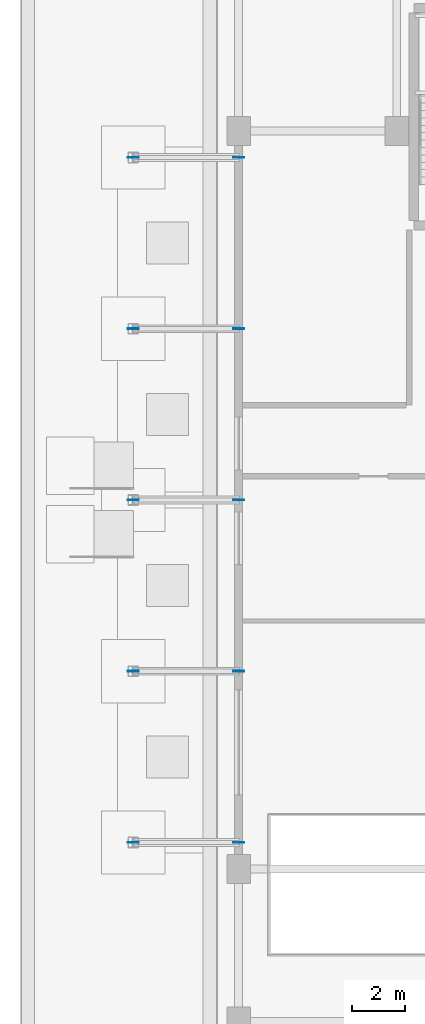
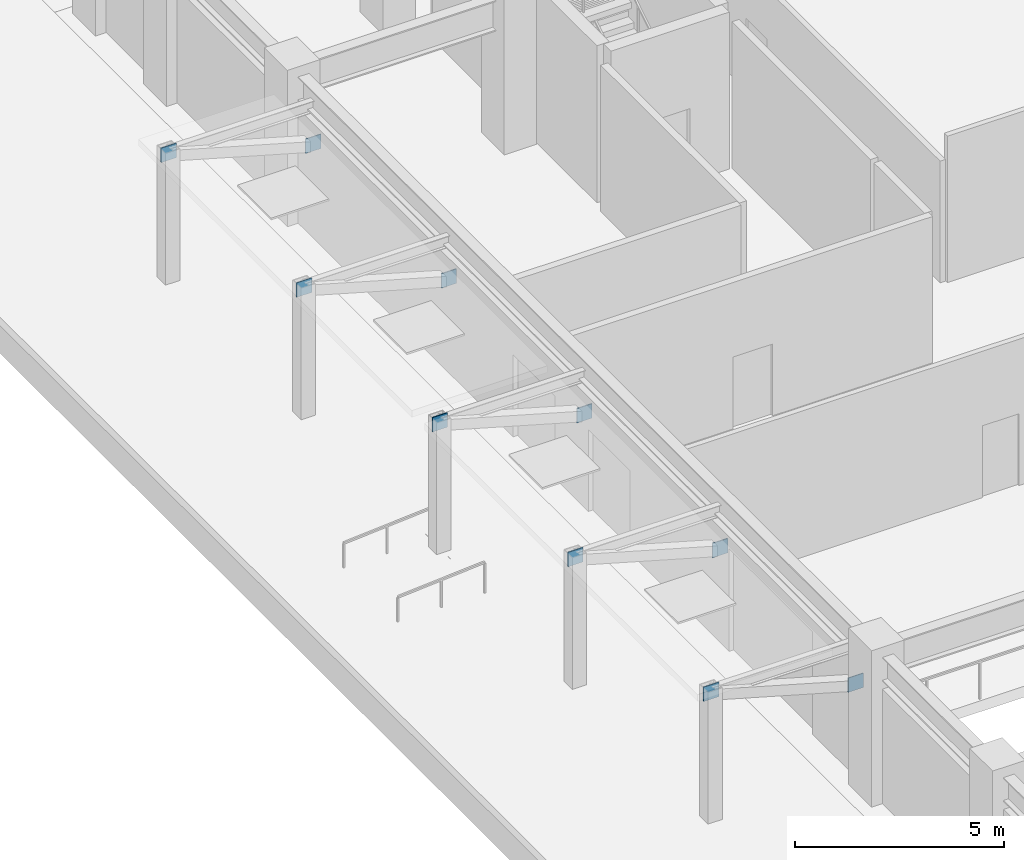
# One storey, part 14 of 23: 10 plates.
"""IFC4 building model written with IfcOpenShell, lengths in metres."""

from ifc_helpers import new_model, si_unit, direction, frame, origin, origin_2d, place, context, subcontext, project, spatial, rectangle, extrude, material, layer, layer_set, type_object, element, save


model = new_model("IFC4")

# Units and contexts
model_context = context("Model", 3, precision=1e-05, world=origin(), true_north=direction((0.0, 1.0)))
body_context = subcontext(model_context, "Body", "Model", "MODEL_VIEW")
ifc_project = project(units=[si_unit("LENGTHUNIT", "METRE"), si_unit("AREAUNIT", "SQUARE_METRE"), si_unit("VOLUMEUNIT", "CUBIC_METRE"), si_unit("PLANEANGLEUNIT", "RADIAN"), si_unit("MASSUNIT", "GRAM", prefix="KILO")], contexts=[model_context])

# Site, building, storey
site_placement = place(None, origin())
site = spatial("IfcSite", under=ifc_project, at=site_placement, CompositionType="ELEMENT")
building_placement = place(site_placement, origin())
building = spatial("IfcBuilding", under=site, at=building_placement, Name="Varnakorn Sky Granary", CompositionType="ELEMENT")
storey_placement = place(building_placement, origin())
storey = spatial("IfcBuildingStorey", under=building, at=storey_placement, Name="L00", CompositionType="ELEMENT", Elevation=0.0)

# Plates
ifc_material = material(Name="Steel S460M", Category="steel")
ifc_layer = layer(ifc_material, 0.028076171875, Name="Steel S460M")
ifc_layer_set = layer_set([ifc_layer], Name="Steel S460M")
plate_type = type_object("IfcPlateType", Name="PL-NODE-KN10", PredefinedType="SHEET", material=ifc_layer_set)
for number, where, z_axis, x_axis, name in (
    (1, (-33.199951171875, -13.0, 2.340087890625), (0.0, 0.0, 1.0), (1.0, 0.0, 0.0), "Canopy Strut Inner Gusset Plate KN10-1A"),
    (2, (-37.199951171875, -13.0, 3.47509765625), (0.0, 0.0, 1.0), (1.0, 0.0, 0.0), "Canopy Strut Outer Gusset Plate KN10-1B"),
    (3, (-33.199951171875, -6.5, 2.340087890625), (0.0, 0.0, 1.0), (1.0, 0.0, 0.0), "Canopy Strut Inner Gusset Plate KN10-2A"),
    (4, (-37.199951171875, -6.5, 3.47509765625), (0.0, 0.0, 1.0), (1.0, 0.0, 0.0), "Canopy Strut Outer Gusset Plate KN10-2B"),
    (5, (-33.199951171875, 0.0, 2.340087890625), (0.0, 0.0, 1.0), (1.0, 0.0, 0.0), "Canopy Strut Inner Gusset Plate KN10-3A"),
    (6, (-37.199951171875, 0.0, 3.47509765625), (0.0, 0.0, 1.0), (1.0, 0.0, 0.0), "Canopy Strut Outer Gusset Plate KN10-3B"),
    (7, (-33.199951171875, 6.5, 2.340087890625), (0.0, 0.0, 1.0), (1.0, 0.0, 0.0), "Canopy Strut Inner Gusset Plate KN10-4A"),
    (8, (-37.199951171875, 6.5, 3.47509765625), (0.0, 0.0, 1.0), (1.0, 0.0, 0.0), "Canopy Strut Outer Gusset Plate KN10-4B"),
    (9, (-33.199951171875, 13.0, 2.340087890625), (0.0, 0.0, 1.0), (1.0, 0.0, 0.0), "Canopy Strut Inner Gusset Plate KN10-5A"),
    (10, (-37.199951171875, 13.0, 3.47509765625), (0.0, 0.0, 1.0), (1.0, 0.0, 0.0), "Canopy Strut Outer Gusset Plate KN10-5B"),
):
    element("IfcPlate", number, at=place(storey_placement, frame(where, z_axis=z_axis, x_axis=x_axis)), inside=storey, type_object=plate_type, Name=name, PredefinedType="SHEET", context=body_context, shape_type="SweptSolid", body=[
        extrude(rectangle(XDim=0.419921875, YDim=0.028076171875, at=origin_2d()), origin(), (0.0, 0.0, 1.0), 0.419921875),
    ])

save(model, "model.ifc")
